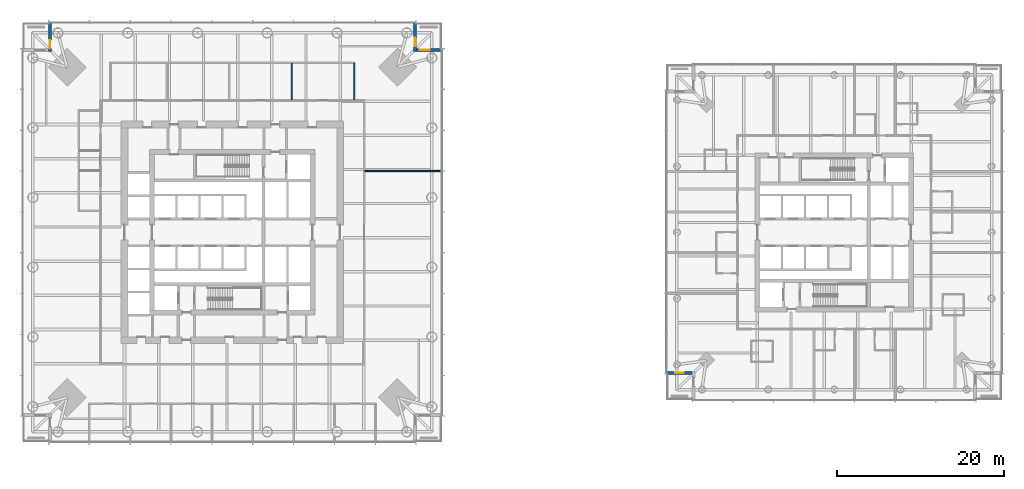
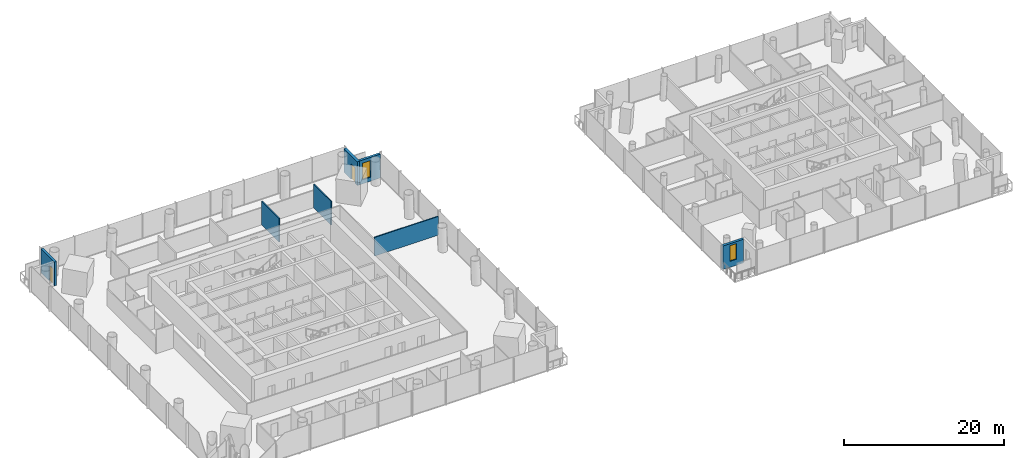
# One storey, part 12 of 19: 7 walls, 2 doors, 2 windows, 4 openings.
"""IFC4 building model written with IfcOpenShell, lengths in metres."""

from ifc_helpers import new_model, si_unit, direction, frame, frame_2d, origin, place, context, subcontext, project, spatial, rectangle, extrude, material, layer, layer_set, type_object, element, fill, save


model = new_model("IFC4")

# Units and contexts
model_context = context("Model", 3, precision=1e-05, world=origin(), true_north=direction((0.0, 1.0)))
body_context = subcontext(model_context, "Body", "Model", "MODEL_VIEW")
ifc_project = project(units=[si_unit("LENGTHUNIT", "METRE"), si_unit("AREAUNIT", "SQUARE_METRE"), si_unit("VOLUMEUNIT", "CUBIC_METRE"), si_unit("PLANEANGLEUNIT", "RADIAN"), si_unit("MASSUNIT", "GRAM", prefix="KILO")], contexts=[model_context])

# Site, building, storey
site_placement = place(None, origin())
site = spatial("IfcSite", under=ifc_project, at=site_placement, CompositionType="ELEMENT")
building_placement = place(site_placement, origin())
building = spatial("IfcBuilding", under=site, at=building_placement, Name="Ostroluk Exchange", CompositionType="ELEMENT")
storey_placement = place(building_placement, frame((0.0, 0.0, 24.800048828125)))
storey = spatial("IfcBuildingStorey", under=building, at=storey_placement, Name="L05", CompositionType="ELEMENT", Elevation=24.800048828125)

# Wall, opening, door
ifc_material_1 = material(Name="Limestone", Category="masonry")
ifc_layer_1 = layer(ifc_material_1, 0.35009765625)
ifc_layer_set_1 = layer_set([ifc_layer_1], Name="Limestone facade wall 350")
wall_type_1 = type_object("IfcWallType", Name="Limestone facade wall 350", PredefinedType="SOLIDWALL", material=ifc_layer_set_1)
wall_1_placement = place(storey_placement, frame((66.824951171875, 71.0, 0.0), z_axis=(0.0, 0.0, 1.0), x_axis=(0.0, -1.0, 0.0)))
wall_1 = element("IfcWall", 1, at=wall_1_placement, inside=storey, type_object=wall_type_1, Name="Office tower NE corner wall L05 a", PredefinedType="SOLIDWALL", context=body_context, shape_type="SweptSolid", body=[
    extrude(rectangle(XDim=3.35009765625, YDim=0.35009765625, at=frame_2d((1.675048828125, 0.0))), origin(), (0.0, 0.0, 1.0), 3.619873046875),
])
opening_1_placement = place(wall_1_placement, frame((1.75, 0.0, 0.0)))
opening_1 = element("IfcOpeningElement", 2, at=opening_1_placement, cuts=wall_1, Name="Opening D-B1", PredefinedType="OPENING", context=body_context, shape_type="SweptSolid", body=[
    extrude(rectangle(XDim=1.0, YDim=2.39990234375, at=frame_2d((0.5, 1.199951171875))), frame((0.0, 0.18505859375, 0.0), z_axis=(0.0, -1.0, 0.0), x_axis=(1.0, 0.0, 0.0)), (0.0, 0.0, 1.0), 0.3701171875),
])
ifc_material_2 = material(Name="Bronze framed glazed door", Category="aluminium")
door_type = type_object("IfcDoorType", Name="Balcony door 1000 x 2400", OperationType="SINGLE_SWING_LEFT", PredefinedType="DOOR", material=ifc_material_2)
door_1_placement = place(opening_1_placement, origin())
door_1 = element("IfcDoor", 3, at=door_1_placement, inside=storey, type_object=door_type, Name="Office tower NE balcony door L05", OperationType="SINGLE_SWING_RIGHT", OverallHeight=2.39990234375, OverallWidth=1.0, PredefinedType="DOOR", context=body_context, shape_type="SweptSolid", body=[
    extrude(rectangle(XDim=1.0, YDim=2.39990234375, at=frame_2d((0.5, 1.199951171875))), frame((0.0, 0.02490234375, 0.0), z_axis=(0.0, -1.0, 0.0), x_axis=(1.0, 0.0, 0.0)), (0.0, 0.0, 1.0), 0.050048828125),
])
fill(opening_1, door_1)

# Wall, opening, window
wall_2_placement = place(storey_placement, frame((67.0, 67.824951171875, 0.0), z_axis=(0.0, 0.0, 1.0), x_axis=(1.0, 0.0, 0.0)))
wall_2 = element("IfcWall", 4, at=wall_2_placement, inside=storey, type_object=wall_type_1, Name="Office tower NE corner wall L05 b", PredefinedType="SOLIDWALL", context=body_context, shape_type="SweptSolid", body=[
    extrude(rectangle(XDim=3.0, YDim=0.35009765625, at=frame_2d((1.5, 0.0))), origin(), (0.0, 0.0, 1.0), 3.619873046875),
])
opening_2_placement = place(wall_2_placement, frame((0.39990234375, 0.0, 0.60009765625)))
opening_2 = element("IfcOpeningElement", 5, at=opening_2_placement, cuts=wall_2, Name="Opening WN-L1", PredefinedType="OPENING", context=body_context, shape_type="SweptSolid", body=[
    extrude(rectangle(XDim=1.199951171875, YDim=2.550048828125, at=frame_2d((0.60009765625, 1.27490234375))), frame((0.0, 0.18505859375, 0.0), z_axis=(0.0, -1.0, 0.0), x_axis=(1.0, 0.0, 0.0)), (0.0, 0.0, 1.0), 0.3701171875),
])
ifc_material_3 = material(Name="Laminated clear glass", Category="glass")
window_type_1 = type_object("IfcWindowType", Name="Lancet window 1200 x 2550", PartitioningType="SINGLE_PANEL", PredefinedType="WINDOW", material=ifc_material_3)
window_1_placement = place(opening_2_placement, origin())
window_1 = element("IfcWindow", 6, at=window_1_placement, inside=storey, type_object=window_type_1, Name="Office tower NE lancet window L05", OverallHeight=2.550048828125, OverallWidth=1.199951171875, PartitioningType="SINGLE_PANEL", PredefinedType="WINDOW", context=body_context, shape_type="SweptSolid", body=[
    extrude(rectangle(XDim=1.199951171875, YDim=2.550048828125, at=frame_2d((0.60009765625, 1.27490234375))), frame((0.0, 0.030029296875, 0.0), z_axis=(0.0, -1.0, 0.0), x_axis=(1.0, 0.0, 0.0)), (0.0, 0.0, 1.0), 0.06005859375),
])
fill(opening_2, window_1)

# Wall, opening, door
wall_3_placement = place(storey_placement, frame((23.175048828125, 71.0, 0.0), z_axis=(0.0, 0.0, 1.0), x_axis=(0.0, -1.0, 0.0)))
wall_3 = element("IfcWall", 7, at=wall_3_placement, inside=storey, type_object=wall_type_1, Name="Office tower NW corner wall L05 a", PredefinedType="SOLIDWALL", context=body_context, shape_type="SweptSolid", body=[
    extrude(rectangle(XDim=3.35009765625, YDim=0.35009765625, at=frame_2d((1.675048828125, 0.0))), origin(), (0.0, 0.0, 1.0), 3.619873046875),
])
opening_3_placement = place(wall_3_placement, frame((2.0, 0.0, 0.0)))
opening_3 = element("IfcOpeningElement", 8, at=opening_3_placement, cuts=wall_3, Name="Opening D-B1", PredefinedType="OPENING", context=body_context, shape_type="SweptSolid", body=[
    extrude(rectangle(XDim=1.0, YDim=2.39990234375, at=frame_2d((0.5, 1.199951171875))), frame((0.0, 0.18505859375, 0.0), z_axis=(0.0, -1.0, 0.0), x_axis=(1.0, 0.0, 0.0)), (0.0, 0.0, 1.0), 0.3701171875),
])
door_2_placement = place(opening_3_placement, origin())
door_2 = element("IfcDoor", 9, at=door_2_placement, inside=storey, type_object=door_type, Name="Office tower NW balcony door L05", OperationType="SINGLE_SWING_RIGHT", OverallHeight=2.39990234375, OverallWidth=1.0, PredefinedType="DOOR", context=body_context, shape_type="SweptSolid", body=[
    extrude(rectangle(XDim=1.0, YDim=2.39990234375, at=frame_2d((0.5, 1.199951171875))), frame((0.0, 0.02490234375, 0.0), z_axis=(0.0, -1.0, 0.0), x_axis=(1.0, 0.0, 0.0)), (0.0, 0.0, 1.0), 0.050048828125),
])
fill(opening_3, door_2)

# Wall, opening, window
wall_4_placement = place(storey_placement, frame((100.0, 29.175048828125, 0.0), z_axis=(0.0, 0.0, 1.0), x_axis=(-1.0, 0.0, 0.0)))
wall_4 = element("IfcWall", 10, at=wall_4_placement, inside=storey, type_object=wall_type_1, Name="Hotel tower SW corner wall L05 b", PredefinedType="SOLIDWALL", context=body_context, shape_type="SweptSolid", body=[
    extrude(rectangle(XDim=3.0, YDim=0.35009765625, at=frame_2d((1.5, 0.0))), origin(), (0.0, 0.0, 1.0), 3.599853515625),
])
opening_4_placement = place(wall_4_placement, frame((1.0, 0.0, 0.89990234375)))
opening_4 = element("IfcOpeningElement", 11, at=opening_4_placement, cuts=wall_4, Name="Opening WN-L3", PredefinedType="OPENING", context=body_context, shape_type="SweptSolid", body=[
    extrude(rectangle(XDim=1.0, YDim=2.39990234375, at=frame_2d((0.5, 1.199951171875))), frame((0.0, 0.18505859375, 0.0), z_axis=(0.0, -1.0, 0.0), x_axis=(1.0, 0.0, 0.0)), (0.0, 0.0, 1.0), 0.3701171875),
])
ifc_material_4 = material(Name="Laminated clear glass", Category="glass")
window_type_2 = type_object("IfcWindowType", Name="Hotel lancet window 1000 x 2400", PartitioningType="SINGLE_PANEL", PredefinedType="WINDOW", material=ifc_material_4)
window_2_placement = place(opening_4_placement, origin())
window_2 = element("IfcWindow", 12, at=window_2_placement, inside=storey, type_object=window_type_2, Name="Hotel tower SW lancet window L05", OverallHeight=2.39990234375, OverallWidth=1.0, PartitioningType="SINGLE_PANEL", PredefinedType="WINDOW", context=body_context, shape_type="SweptSolid", body=[
    extrude(rectangle(XDim=1.0, YDim=2.39990234375, at=frame_2d((0.5, 1.199951171875))), frame((0.0, 0.030029296875, 0.0), z_axis=(0.0, -1.0, 0.0), x_axis=(1.0, 0.0, 0.0)), (0.0, 0.0, 1.0), 0.06005859375),
])
fill(opening_4, window_2)

# Walls
ifc_material_5 = material(Name="Gypsum plasterboard partition", Category="gypsum")
ifc_layer_2 = layer(ifc_material_5, 0.14990234375)
ifc_layer_set_2 = layer_set([ifc_layer_2], Name="Plasterboard partition 150")
wall_type_2 = type_object("IfcWallType", Name="Plasterboard partition 150", PredefinedType="PARTITIONING", material=ifc_layer_set_2)
for number, where, z_axis, x_axis, name in (
    (13, (59.574951171875, 61.85009765625, 0.0), (0.0, 0.0, 1.0), (0.0, 1.0, 0.0), "Partition"),
    (14, (52.1005859375, 61.85009765625, 0.0), (0.0, 0.0, 1.0), (0.0, 1.0, 0.0), "Partition"),
):
    element("IfcWall", number, at=place(storey_placement, frame(where, z_axis=z_axis, x_axis=x_axis)), inside=storey, type_object=wall_type_2, Name=name, PredefinedType="PARTITIONING", context=body_context, shape_type="SweptSolid", body=[
        extrude(rectangle(XDim=4.349853515625, YDim=0.14990234375, at=frame_2d((2.1748046875, 0.0))), origin(), (0.0, 0.0, 1.0), 3.619873046875),
    ])
wall_5_placement = place(storey_placement, frame((60.85009765625, 53.333251953125, 0.0), z_axis=(0.0, 0.0, 1.0), x_axis=(1.0, 0.0, 0.0)))
element("IfcWall", 15, at=wall_5_placement, inside=storey, type_object=wall_type_2, Name="Tenancy partition", PredefinedType="PARTITIONING", context=body_context, shape_type="SweptSolid", body=[
    extrude(rectangle(XDim=9.18994140625, YDim=0.14990234375, at=frame_2d((4.594970703125, 0.0))), origin(), (0.0, 0.0, 1.0), 2.849853515625),
])

save(model, "model.ifc")
